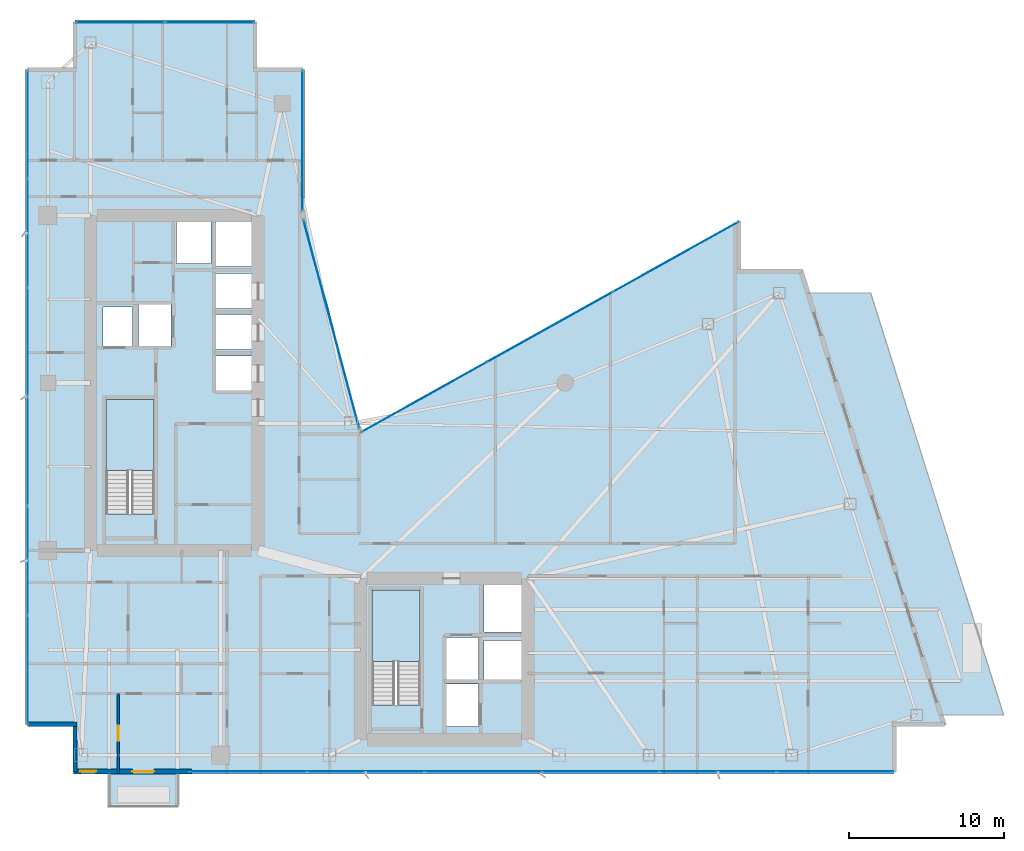
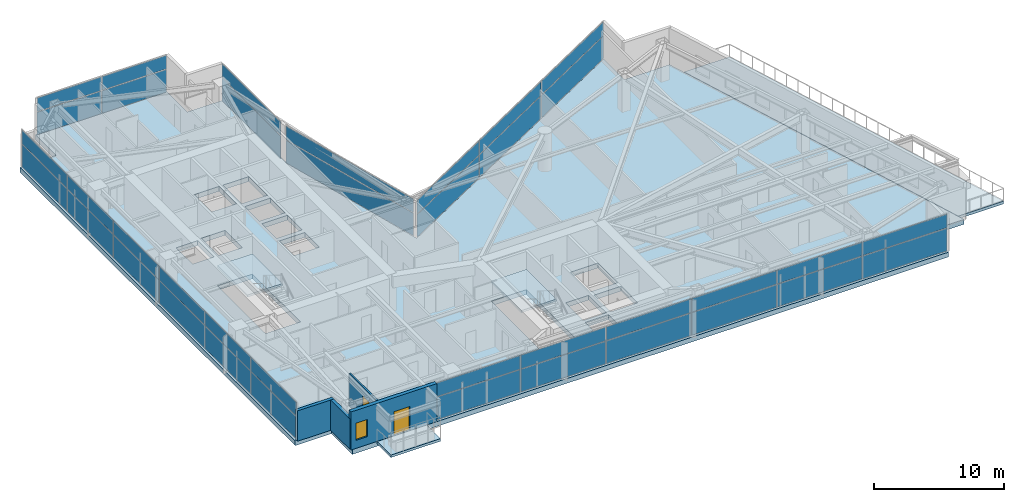
# One storey, part 21 of 28: 38 plates, 5 slabs, 4 walls, 2 doors, 1 window, 3 openings, 8 elements without a shape of their own.
"""IFC4 building model written with IfcOpenShell, lengths in metres."""

import ifcopenshell
import ifcopenshell.guid

model = None  # the IFC model being written
_history = None  # IfcOwnerHistory: only IFC2X3 demands one
_inside = {}  # id of a spatial element -> (the spatial element, [elements in it])
_under = {}  # id of a project, library or spatial element -> (it, [spatial elements below it])
_declared = {}  # id of a project -> (the project, [libraries it declares])
_typed = {}  # id of a type object -> (the type object, [elements of that type])
_made_of = {}  # id of a material, layer set ... -> (it, [elements and type objects made of it])


def new_model(schema):
    """Start an empty IFC model of exactly this schema.

    Asked for "IFC4X3", IfcOpenShell would pick the latest addendum, in which some entities
    have other attributes; the version numbers below select the first issue.
    IFC2X3 requires an IfcOwnerHistory on every rooted entity: one is made here for all.
    """
    global model, _history
    if schema == "IFC4X3":
        model = ifcopenshell.file(schema_version=(4, 3, 0, 0))
    else:
        model = ifcopenshell.file(schema=schema)
    _inside.clear()
    _under.clear()
    _declared.clear()
    _typed.clear()
    _made_of.clear()
    _history = None
    if model.schema == "IFC2X3":
        org = make("IfcOrganization", Name="unknown")
        user = make(
            "IfcPersonAndOrganization",
            ThePerson=make("IfcPerson", FamilyName="unknown"),
            TheOrganization=org,
        )
        app = make(
            "IfcApplication",
            ApplicationDeveloper=org,
            Version="unknown",
            ApplicationFullName="unknown",
            ApplicationIdentifier="unknown",
        )
        _history = make(
            "IfcOwnerHistory",
            OwningUser=user,
            OwningApplication=app,
            ChangeAction="ADDED",
            CreationDate=0,
        )
    return model


def make(cls, **values):
    """One entity of the class cls with the attributes given. An attribute that is None is left unset."""
    return model.create_entity(
        cls, **{name: value for name, value in values.items() if value is not None}
    )


def rooted(cls, **values):
    """An entity with a GlobalId (a new one), such as an element, a storey or a relation."""
    return make(cls, GlobalId=ifcopenshell.guid.new(), OwnerHistory=_history, **values)


def si_unit(unit_type, name, prefix=None):
    """IfcSIUnit, for example si_unit("LENGTHUNIT", "METRE", prefix="MILLI")."""
    return make("IfcSIUnit", UnitType=unit_type, Prefix=prefix, Name=name)


def assignment(units):
    """IfcUnitAssignment: the units of a project."""
    return None if units is None else make("IfcUnitAssignment", Units=units)


def point(xyz):
    """IfcCartesianPoint."""
    return None if xyz is None else make("IfcCartesianPoint", Coordinates=xyz)


def direction(xyz):
    """IfcDirection."""
    return None if xyz is None else make("IfcDirection", DirectionRatios=xyz)


def frame(location, z_axis=None, x_axis=None):
    """IfcAxis2Placement3D, a coordinate frame: its origin and axes. An axis left out is left unset."""
    return make(
        "IfcAxis2Placement3D",
        Location=point(location),
        Axis=direction(z_axis),
        RefDirection=direction(x_axis),
    )


def frame_2d(location, x_axis=None):
    """IfcAxis2Placement2D, a coordinate frame in the plane: its origin and x axis."""
    return make(
        "IfcAxis2Placement2D", Location=point(location), RefDirection=direction(x_axis)
    )


def origin():
    """The frame at (0, 0, 0) with its axes left unset."""
    return frame((0.0, 0.0, 0.0))


def origin_2d():
    """The frame at (0, 0) in the plane with its x axis left unset."""
    return frame_2d((0.0, 0.0))


def place(relative_to, where):
    """IfcLocalPlacement: puts the frame where relative to a parent placement (None: the world)."""
    return make(
        "IfcLocalPlacement", PlacementRelTo=relative_to, RelativePlacement=where
    )


def context(
    kind, dimensions, precision=None, world=None, true_north=None, identifier=None
):
    """IfcGeometricRepresentationContext, for example the 3D "Model" context."""
    return make(
        "IfcGeometricRepresentationContext",
        ContextIdentifier=identifier,
        ContextType=kind,
        CoordinateSpaceDimension=dimensions,
        Precision=precision,
        WorldCoordinateSystem=world,
        TrueNorth=true_north,
    )


def subcontext(parent, identifier, kind, view, scale=None):
    """IfcGeometricRepresentationSubContext, for example "Body" below "Model"."""
    return make(
        "IfcGeometricRepresentationSubContext",
        ContextIdentifier=identifier,
        ContextType=kind,
        ParentContext=parent,
        TargetScale=scale,
        TargetView=view,
    )


def project(units=None, contexts=None):
    """IfcProject with its units and contexts."""
    return rooted(
        "IfcProject",
        Name="project",
        RepresentationContexts=contexts,
        UnitsInContext=assignment(units),
    )


def spatial(cls, under=None, at=None, **own):
    """A site, building, storey or space (cls), placed at a placement, below another one or the project."""
    s = rooted(cls, ObjectPlacement=at, **own)
    if under is not None:
        _under.setdefault(under.id(), (under, []))[1].append(s)
    return s


def polyline(points):
    """IfcPolyline through the points."""
    return make("IfcPolyline", Points=[point(p) for p in points])


def profile(cls, at=None, kind="AREA", **sizes):
    """A parametric profile (cls). Its sizes go by their IFC names, for example OverallWidth=200.0."""
    return make(cls, ProfileType=kind, Position=at, **sizes)


def rectangle(**sizes):
    """IfcRectangleProfileDef."""
    return profile("IfcRectangleProfileDef", **sizes)


def outline(outer, holes=None, kind="AREA"):
    """IfcArbitraryClosedProfileDef: a profile drawn as a closed curve; with holes, ...WithVoids."""
    if holes is None:
        return make("IfcArbitraryClosedProfileDef", ProfileType=kind, OuterCurve=outer)
    return make(
        "IfcArbitraryProfileDefWithVoids",
        ProfileType=kind,
        OuterCurve=outer,
        InnerCurves=holes,
    )


def extrude(swept, where, along, depth):
    """IfcExtrudedAreaSolid: the profile swept, set in the frame where, extruded along a direction by depth."""
    return make(
        "IfcExtrudedAreaSolid",
        SweptArea=swept,
        Position=where,
        ExtrudedDirection=direction(along),
        Depth=depth,
    )


def shape(context_of_items, identifier, shape_type, items):
    """IfcShapeRepresentation: the items that make up one representation, for example the "Body"."""
    return make(
        "IfcShapeRepresentation",
        ContextOfItems=context_of_items,
        RepresentationIdentifier=identifier,
        RepresentationType=shape_type,
        Items=items,
    )


def material(Name=None, Category=None):
    """IfcMaterial."""
    return make("IfcMaterial", Name=Name, Category=Category)


def layer(
    of_material, thickness, ventilated=None, Name=None, Category=None, Priority=None
):
    """IfcMaterialLayer: one layer of a wall or slab, of a material (None: an air gap)."""
    return make(
        "IfcMaterialLayer",
        Material=of_material,
        LayerThickness=thickness,
        IsVentilated=ventilated,
        Name=Name,
        Category=Category,
        Priority=Priority,
    )


def layer_set(layers, Name=None):
    """IfcMaterialLayerSet."""
    return make("IfcMaterialLayerSet", MaterialLayers=layers, LayerSetName=Name)


def made_of(thing, what):
    """Note that an element or type object is made of a material, layer set ...; save() writes the relation."""
    if what is not None:
        _made_of.setdefault(what.id(), (what, []))[1].append(thing)
    return thing


def type_object(cls, material=None, **own):
    """A type object (cls), such as IfcWallType, which elements share."""
    return made_of(rooted(cls, **own), material)


def element(
    cls,
    number,
    at=None,
    inside=None,
    cuts=None,
    type_object=None,
    material=None,
    context=None,
    identifier="Body",
    shape_type=None,
    held_by="IfcProductDefinitionShape",
    body=None,
    shapes=None,
    **own,
):
    """One element of the class cls, such as IfcWall. Its Tag is "e" and its number.

    at: its placement. inside: the storey or other place that contains it. cuts: it is an
    opening in that element (IfcRelVoidsElement). A single representation is given by context,
    identifier, shape_type and body (its items); several are given by shapes. held_by: the class
    of the entity that holds the representations. save() writes the other relations.
    """
    e = rooted(cls, Tag="e%d" % number, ObjectPlacement=at, **own)
    if body is not None:
        shapes = [shape(context, identifier, shape_type, body)]
    if shapes is not None:
        e.Representation = make(held_by, Representations=shapes)
    if inside is not None:
        _inside.setdefault(inside.id(), (inside, []))[1].append(e)
    if cuts is not None:
        rooted(
            "IfcRelVoidsElement", RelatingBuildingElement=cuts, RelatedOpeningElement=e
        )
    if type_object is not None:
        _typed.setdefault(type_object.id(), (type_object, []))[1].append(e)
    return made_of(e, material)


def fill(opening, filler):
    """IfcRelFillsElement: the door or window that sits in an opening."""
    return rooted(
        "IfcRelFillsElement",
        RelatingOpeningElement=opening,
        RelatedBuildingElement=filler,
    )


def aggregate(whole, parts):
    """IfcRelAggregates: a whole, such as a stair, and the parts it consists of."""
    return rooted("IfcRelAggregates", RelatingObject=whole, RelatedObjects=parts)


def save(model, path):
    """Write the relations noted so far, then the file.

    IfcRelAggregates (storeys below a building ...), IfcRelContainedInSpatialStructure (elements
    in a storey), IfcRelDefinesByType, IfcRelAssociatesMaterial and IfcRelDeclares: one each for
    every whole, place, type object, material and project.
    """
    for whole, parts in _under.values():
        aggregate(whole, parts)
    for where, things in _inside.values():
        rooted(
            "IfcRelContainedInSpatialStructure",
            RelatedElements=things,
            RelatingStructure=where,
        )
    for kind, things in _typed.values():
        rooted("IfcRelDefinesByType", RelatedObjects=things, RelatingType=kind)
    for what, things in _made_of.values():
        rooted("IfcRelAssociatesMaterial", RelatedObjects=things, RelatingMaterial=what)
    for by, libraries in _declared.values():
        rooted("IfcRelDeclares", RelatingContext=by, RelatedDefinitions=libraries)
    model.write(path)


model = new_model("IFC4")

# Units and contexts
model_context = context("Model", 3, precision=1e-05, world=origin(), true_north=direction((0.0, 1.0)))
body_context = subcontext(model_context, "Body", "Model", "MODEL_VIEW")
ifc_project = project(units=[si_unit("LENGTHUNIT", "METRE"), si_unit("AREAUNIT", "SQUARE_METRE"), si_unit("VOLUMEUNIT", "CUBIC_METRE"), si_unit("PLANEANGLEUNIT", "RADIAN"), si_unit("MASSUNIT", "GRAM", prefix="KILO")], contexts=[model_context])

# Site, building, storey
site_placement = place(None, origin())
site = spatial("IfcSite", under=ifc_project, at=site_placement, CompositionType="ELEMENT")
building_placement = place(site_placement, origin())
building = spatial("IfcBuilding", under=site, at=building_placement, Name="Calvorn Quay Hotel", CompositionType="ELEMENT")
storey_placement = place(building_placement, frame((0.0, 0.0, 97.39990234375)))
storey = spatial("IfcBuildingStorey", under=building, at=storey_placement, Name="L23", CompositionType="ELEMENT", Elevation=97.39990234375)

# Curtain wall, plates
ifc_material_1 = material(Name="Pale Anodised Aluminium and Low-E Glass", Category="aluminium")
ifc_layer_1 = layer(ifc_material_1, 0.219970703125)
ifc_layer_set_1 = layer_set([ifc_layer_1], Name="CW-SYS-Z2")
curtain_wall_type = type_object("IfcCurtainWallType", Name="CW-SYS-Z2", PredefinedType="NOTDEFINED", material=ifc_layer_set_1)
curtain_wall_1_placement = place(storey_placement, origin())
curtain_wall_1 = element("IfcCurtainWall", 1, at=curtain_wall_1_placement, inside=storey, type_object=curtain_wall_type, Name="Tower West Curtain Wall (L23)", PredefinedType="NOTDEFINED")
ifc_material_2 = material(Name="Low-E Laminated Double Glazing", Category="glass")
ifc_layer_2 = layer(ifc_material_2, 0.028076171875)
ifc_layer_set_2 = layer_set([ifc_layer_2], Name="CW-SYS-Z2-PAN")
plate_type = type_object("IfcPlateType", Name="CW-SYS-Z2-PAN", PredefinedType="CURTAIN_PANEL", material=ifc_layer_set_2)
plate_1_placement = place(storey_placement, frame((0.14990234375, 9.131591796875, 0.06005859375), z_axis=(0.0, 0.0, 1.0), x_axis=(0.0, 1.0, 0.0)))
plate_1 = element("IfcPlate", 2, at=plate_1_placement, type_object=plate_type, Name="CW-L23-W panel 1.1", PredefinedType="CURTAIN_PANEL", context=body_context, shape_type="SweptSolid", body=[
    extrude(rectangle(XDim=6.943359375, YDim=0.028076171875, at=origin_2d()), origin(), (0.0, 0.0, 1.0), 2.110107421875),
])
plate_2_placement = place(storey_placement, frame((0.14990234375, 9.131591796875, 2.22998046875), z_axis=(0.0, 0.0, 1.0), x_axis=(0.0, 1.0, 0.0)))
plate_2 = element("IfcPlate", 3, at=plate_2_placement, type_object=plate_type, Name="CW-L23-W panel 1.2", PredefinedType="CURTAIN_PANEL", context=body_context, shape_type="SweptSolid", body=[
    extrude(rectangle(XDim=6.943359375, YDim=0.028076171875, at=origin_2d()), origin(), (0.0, 0.0, 1.0), 1.27001953125),
])
plate_3_placement = place(storey_placement, frame((0.14990234375, 16.14990234375, 0.06005859375), z_axis=(0.0, 0.0, 1.0), x_axis=(0.0, 1.0, 0.0)))
plate_3 = element("IfcPlate", 4, at=plate_3_placement, type_object=plate_type, Name="CW-L23-W panel 2.1", PredefinedType="CURTAIN_PANEL", context=body_context, shape_type="SweptSolid", body=[
    extrude(rectangle(XDim=6.973388671875, YDim=0.028076171875, at=origin_2d()), origin(), (0.0, 0.0, 1.0), 2.110107421875),
])
plate_4_placement = place(storey_placement, frame((0.14990234375, 16.14990234375, 2.22998046875), z_axis=(0.0, 0.0, 1.0), x_axis=(0.0, 1.0, 0.0)))
plate_4 = element("IfcPlate", 5, at=plate_4_placement, type_object=plate_type, Name="CW-L23-W panel 2.2", PredefinedType="CURTAIN_PANEL", context=body_context, shape_type="SweptSolid", body=[
    extrude(rectangle(XDim=6.973388671875, YDim=0.028076171875, at=origin_2d()), origin(), (0.0, 0.0, 1.0), 1.27001953125),
])
plate_5_placement = place(storey_placement, frame((0.14990234375, 23.183349609375, 0.06005859375), z_axis=(0.0, 0.0, 1.0), x_axis=(0.0, 1.0, 0.0)))
plate_5 = element("IfcPlate", 6, at=plate_5_placement, type_object=plate_type, Name="CW-L23-W panel 3.1", PredefinedType="CURTAIN_PANEL", context=body_context, shape_type="SweptSolid", body=[
    extrude(rectangle(XDim=6.973388671875, YDim=0.028076171875, at=origin_2d()), origin(), (0.0, 0.0, 1.0), 2.110107421875),
])
plate_6_placement = place(storey_placement, frame((0.14990234375, 23.183349609375, 2.22998046875), z_axis=(0.0, 0.0, 1.0), x_axis=(0.0, 1.0, 0.0)))
plate_6 = element("IfcPlate", 7, at=plate_6_placement, type_object=plate_type, Name="CW-L23-W panel 3.2", PredefinedType="CURTAIN_PANEL", context=body_context, shape_type="SweptSolid", body=[
    extrude(rectangle(XDim=6.973388671875, YDim=0.028076171875, at=origin_2d()), origin(), (0.0, 0.0, 1.0), 1.27001953125),
])
plate_7_placement = place(storey_placement, frame((0.14990234375, 30.216552734375, 0.06005859375), z_axis=(0.0, 0.0, 1.0), x_axis=(0.0, 1.0, 0.0)))
plate_7 = element("IfcPlate", 8, at=plate_7_placement, type_object=plate_type, Name="CW-L23-W panel 4.1", PredefinedType="CURTAIN_PANEL", context=body_context, shape_type="SweptSolid", body=[
    extrude(rectangle(XDim=6.973388671875, YDim=0.028076171875, at=origin_2d()), origin(), (0.0, 0.0, 1.0), 2.110107421875),
])
plate_8_placement = place(storey_placement, frame((0.14990234375, 30.216552734375, 2.22998046875), z_axis=(0.0, 0.0, 1.0), x_axis=(0.0, 1.0, 0.0)))
plate_8 = element("IfcPlate", 9, at=plate_8_placement, type_object=plate_type, Name="CW-L23-W panel 4.2", PredefinedType="CURTAIN_PANEL", context=body_context, shape_type="SweptSolid", body=[
    extrude(rectangle(XDim=6.973388671875, YDim=0.028076171875, at=origin_2d()), origin(), (0.0, 0.0, 1.0), 1.27001953125),
])
plate_9_placement = place(storey_placement, frame((0.14990234375, 37.25, 0.06005859375), z_axis=(0.0, 0.0, 1.0), x_axis=(0.0, 1.0, 0.0)))
plate_9 = element("IfcPlate", 10, at=plate_9_placement, type_object=plate_type, Name="CW-L23-W panel 5.1", PredefinedType="CURTAIN_PANEL", context=body_context, shape_type="SweptSolid", body=[
    extrude(rectangle(XDim=6.973388671875, YDim=0.028076171875, at=origin_2d()), origin(), (0.0, 0.0, 1.0), 2.110107421875),
])
plate_10_placement = place(storey_placement, frame((0.14990234375, 37.25, 2.22998046875), z_axis=(0.0, 0.0, 1.0), x_axis=(0.0, 1.0, 0.0)))
plate_10 = element("IfcPlate", 11, at=plate_10_placement, type_object=plate_type, Name="CW-L23-W panel 5.2", PredefinedType="CURTAIN_PANEL", context=body_context, shape_type="SweptSolid", body=[
    extrude(rectangle(XDim=6.973388671875, YDim=0.028076171875, at=origin_2d()), origin(), (0.0, 0.0, 1.0), 1.27001953125),
])
plate_11_placement = place(storey_placement, frame((0.14990234375, 44.268310546875, 0.06005859375), z_axis=(0.0, 0.0, 1.0), x_axis=(0.0, 1.0, 0.0)))
plate_11 = element("IfcPlate", 12, at=plate_11_placement, type_object=plate_type, Name="CW-L23-W panel 6.1", PredefinedType="CURTAIN_PANEL", context=body_context, shape_type="SweptSolid", body=[
    extrude(rectangle(XDim=6.943359375, YDim=0.028076171875, at=origin_2d()), origin(), (0.0, 0.0, 1.0), 2.110107421875),
])
plate_12_placement = place(storey_placement, frame((0.14990234375, 44.268310546875, 2.22998046875), z_axis=(0.0, 0.0, 1.0), x_axis=(0.0, 1.0, 0.0)))
plate_12 = element("IfcPlate", 13, at=plate_12_placement, type_object=plate_type, Name="CW-L23-W panel 6.2", PredefinedType="CURTAIN_PANEL", context=body_context, shape_type="SweptSolid", body=[
    extrude(rectangle(XDim=6.943359375, YDim=0.028076171875, at=origin_2d()), origin(), (0.0, 0.0, 1.0), 1.27001953125),
])
aggregate(curtain_wall_1, [plate_1, plate_2, plate_3, plate_4, plate_5, plate_6, plate_7, plate_8, plate_9, plate_10, plate_11, plate_12])

curtain_wall_2_placement = place(storey_placement, origin())
curtain_wall_2 = element("IfcCurtainWall", 14, at=curtain_wall_2_placement, inside=storey, type_object=curtain_wall_type, Name="Tower South Waterfront Curtain Wall (L23)", PredefinedType="NOTDEFINED")
plate_13_placement = place(storey_placement, frame((14.3984375, 2.550048828125, 0.06005859375), z_axis=(0.0, 0.0, 1.0), x_axis=(1.0, 0.0, 0.0)))
plate_13 = element("IfcPlate", 15, at=plate_13_placement, type_object=plate_type, Name="CW-L23-S panel 1.1", PredefinedType="CURTAIN_PANEL", context=body_context, shape_type="SweptSolid", body=[
    extrude(rectangle(XDim=7.4765625, YDim=0.028076171875, at=origin_2d()), origin(), (0.0, 0.0, 1.0), 2.110107421875),
])
plate_14_placement = place(storey_placement, frame((14.3984375, 2.550048828125, 2.22998046875), z_axis=(0.0, 0.0, 1.0), x_axis=(1.0, 0.0, 0.0)))
plate_14 = element("IfcPlate", 16, at=plate_14_placement, type_object=plate_type, Name="CW-L23-S panel 1.2", PredefinedType="CURTAIN_PANEL", context=body_context, shape_type="SweptSolid", body=[
    extrude(rectangle(XDim=7.4765625, YDim=0.028076171875, at=origin_2d()), origin(), (0.0, 0.0, 1.0), 1.27001953125),
])
plate_15_placement = place(storey_placement, frame((21.949951171875, 2.550048828125, 0.06005859375), z_axis=(0.0, 0.0, 1.0), x_axis=(1.0, 0.0, 0.0)))
plate_15 = element("IfcPlate", 17, at=plate_15_placement, type_object=plate_type, Name="CW-L23-S panel 2.1", PredefinedType="CURTAIN_PANEL", context=body_context, shape_type="SweptSolid", body=[
    extrude(rectangle(XDim=7.506591796875, YDim=0.028076171875, at=origin_2d()), origin(), (0.0, 0.0, 1.0), 2.110107421875),
])
plate_16_placement = place(storey_placement, frame((21.949951171875, 2.550048828125, 2.22998046875), z_axis=(0.0, 0.0, 1.0), x_axis=(1.0, 0.0, 0.0)))
plate_16 = element("IfcPlate", 18, at=plate_16_placement, type_object=plate_type, Name="CW-L23-S panel 2.2", PredefinedType="CURTAIN_PANEL", context=body_context, shape_type="SweptSolid", body=[
    extrude(rectangle(XDim=7.506591796875, YDim=0.028076171875, at=origin_2d()), origin(), (0.0, 0.0, 1.0), 1.27001953125),
])
plate_17_placement = place(storey_placement, frame((29.5166015625, 2.550048828125, 0.06005859375), z_axis=(0.0, 0.0, 1.0), x_axis=(1.0, 0.0, 0.0)))
plate_17 = element("IfcPlate", 19, at=plate_17_placement, type_object=plate_type, Name="CW-L23-S panel 3.1", PredefinedType="CURTAIN_PANEL", context=body_context, shape_type="SweptSolid", body=[
    extrude(rectangle(XDim=7.506591796875, YDim=0.028076171875, at=origin_2d()), origin(), (0.0, 0.0, 1.0), 2.110107421875),
])
plate_18_placement = place(storey_placement, frame((29.5166015625, 2.550048828125, 2.22998046875), z_axis=(0.0, 0.0, 1.0), x_axis=(1.0, 0.0, 0.0)))
plate_18 = element("IfcPlate", 20, at=plate_18_placement, type_object=plate_type, Name="CW-L23-S panel 3.2", PredefinedType="CURTAIN_PANEL", context=body_context, shape_type="SweptSolid", body=[
    extrude(rectangle(XDim=7.506591796875, YDim=0.028076171875, at=origin_2d()), origin(), (0.0, 0.0, 1.0), 1.27001953125),
])
plate_19_placement = place(storey_placement, frame((37.083251953125, 2.550048828125, 0.06005859375), z_axis=(0.0, 0.0, 1.0), x_axis=(1.0, 0.0, 0.0)))
plate_19 = element("IfcPlate", 21, at=plate_19_placement, type_object=plate_type, Name="CW-L23-S panel 4.1", PredefinedType="CURTAIN_PANEL", context=body_context, shape_type="SweptSolid", body=[
    extrude(rectangle(XDim=7.506591796875, YDim=0.028076171875, at=origin_2d()), origin(), (0.0, 0.0, 1.0), 2.110107421875),
])
plate_20_placement = place(storey_placement, frame((37.083251953125, 2.550048828125, 2.22998046875), z_axis=(0.0, 0.0, 1.0), x_axis=(1.0, 0.0, 0.0)))
plate_20 = element("IfcPlate", 22, at=plate_20_placement, type_object=plate_type, Name="CW-L23-S panel 4.2", PredefinedType="CURTAIN_PANEL", context=body_context, shape_type="SweptSolid", body=[
    extrude(rectangle(XDim=7.506591796875, YDim=0.028076171875, at=origin_2d()), origin(), (0.0, 0.0, 1.0), 1.27001953125),
])
plate_21_placement = place(storey_placement, frame((44.64990234375, 2.550048828125, 0.06005859375), z_axis=(0.0, 0.0, 1.0), x_axis=(1.0, 0.0, 0.0)))
plate_21 = element("IfcPlate", 23, at=plate_21_placement, type_object=plate_type, Name="CW-L23-S panel 5.1", PredefinedType="CURTAIN_PANEL", context=body_context, shape_type="SweptSolid", body=[
    extrude(rectangle(XDim=7.506591796875, YDim=0.028076171875, at=origin_2d()), origin(), (0.0, 0.0, 1.0), 2.110107421875),
])
plate_22_placement = place(storey_placement, frame((44.64990234375, 2.550048828125, 2.22998046875), z_axis=(0.0, 0.0, 1.0), x_axis=(1.0, 0.0, 0.0)))
plate_22 = element("IfcPlate", 24, at=plate_22_placement, type_object=plate_type, Name="CW-L23-S panel 5.2", PredefinedType="CURTAIN_PANEL", context=body_context, shape_type="SweptSolid", body=[
    extrude(rectangle(XDim=7.506591796875, YDim=0.028076171875, at=origin_2d()), origin(), (0.0, 0.0, 1.0), 1.27001953125),
])
plate_23_placement = place(storey_placement, frame((52.20166015625, 2.550048828125, 0.06005859375), z_axis=(0.0, 0.0, 1.0), x_axis=(1.0, 0.0, 0.0)))
plate_23 = element("IfcPlate", 25, at=plate_23_placement, type_object=plate_type, Name="CW-L23-S panel 6.1", PredefinedType="CURTAIN_PANEL", context=body_context, shape_type="SweptSolid", body=[
    extrude(rectangle(XDim=7.4765625, YDim=0.028076171875, at=origin_2d()), origin(), (0.0, 0.0, 1.0), 2.110107421875),
])
plate_24_placement = place(storey_placement, frame((52.20166015625, 2.550048828125, 2.22998046875), z_axis=(0.0, 0.0, 1.0), x_axis=(1.0, 0.0, 0.0)))
plate_24 = element("IfcPlate", 26, at=plate_24_placement, type_object=plate_type, Name="CW-L23-S panel 6.2", PredefinedType="CURTAIN_PANEL", context=body_context, shape_type="SweptSolid", body=[
    extrude(rectangle(XDim=7.4765625, YDim=0.028076171875, at=origin_2d()), origin(), (0.0, 0.0, 1.0), 1.27001953125),
])
aggregate(curtain_wall_2, [plate_13, plate_14, plate_15, plate_16, plate_17, plate_18, plate_19, plate_20, plate_21, plate_22, plate_23, plate_24])

curtain_wall_3_placement = place(storey_placement, origin())
curtain_wall_3 = element("IfcCurtainWall", 27, at=curtain_wall_3_placement, inside=storey, type_object=curtain_wall_type, Name="Inner Court Curtain Wall L23-NE1", PredefinedType="NOTDEFINED")
plate_25_placement = place(storey_placement, frame((41.920166015625, 35.72607421875, 0.06005859375), z_axis=(0.0, 0.0, 1.0), x_axis=(-0.873480989116, -0.486858256224, 0.0)))
plate_25 = element("IfcPlate", 28, at=plate_25_placement, type_object=plate_type, Name="CW-L23-NE1 panel 1.1", PredefinedType="CURTAIN_PANEL", context=body_context, shape_type="SweptSolid", body=[
    extrude(rectangle(XDim=9.221435546875, YDim=0.028076171875, at=origin_2d()), origin(), (0.0, 0.0, 1.0), 2.110107421875),
])
plate_26_placement = place(storey_placement, frame((41.920166015625, 35.72607421875, 2.22998046875), z_axis=(0.0, 0.0, 1.0), x_axis=(-0.873480989116, -0.486858256224, 0.0)))
plate_26 = element("IfcPlate", 29, at=plate_26_placement, type_object=plate_type, Name="CW-L23-NE1 panel 1.2", PredefinedType="CURTAIN_PANEL", context=body_context, shape_type="SweptSolid", body=[
    extrude(rectangle(XDim=9.221435546875, YDim=0.028076171875, at=origin_2d()), origin(), (0.0, 0.0, 1.0), 1.27001953125),
])
plate_27_placement = place(storey_placement, frame((33.800048828125, 31.199951171875, 0.06005859375), z_axis=(0.0, 0.0, 1.0), x_axis=(-0.873480989116, -0.486858256224, 0.0)))
plate_27 = element("IfcPlate", 30, at=plate_27_placement, type_object=plate_type, Name="CW-L23-NE1 panel 2.1", PredefinedType="CURTAIN_PANEL", context=body_context, shape_type="SweptSolid", body=[
    extrude(rectangle(XDim=9.25146484375, YDim=0.028076171875, at=origin_2d()), origin(), (0.0, 0.0, 1.0), 2.110107421875),
])
plate_28_placement = place(storey_placement, frame((33.800048828125, 31.199951171875, 2.22998046875), z_axis=(0.0, 0.0, 1.0), x_axis=(-0.873480989116, -0.486858256224, 0.0)))
plate_28 = element("IfcPlate", 31, at=plate_28_placement, type_object=plate_type, Name="CW-L23-NE1 panel 2.2", PredefinedType="CURTAIN_PANEL", context=body_context, shape_type="SweptSolid", body=[
    extrude(rectangle(XDim=9.25146484375, YDim=0.028076171875, at=origin_2d()), origin(), (0.0, 0.0, 1.0), 1.27001953125),
])
plate_29_placement = place(storey_placement, frame((25.6796875, 26.674072265625, 0.06005859375), z_axis=(0.0, 0.0, 1.0), x_axis=(-0.873480989116, -0.486858256224, 0.0)))
plate_29 = element("IfcPlate", 32, at=plate_29_placement, type_object=plate_type, Name="CW-L23-NE1 panel 3.1", PredefinedType="CURTAIN_PANEL", context=body_context, shape_type="SweptSolid", body=[
    extrude(rectangle(XDim=9.221435546875, YDim=0.028076171875, at=origin_2d()), origin(), (0.0, 0.0, 1.0), 2.110107421875),
])
plate_30_placement = place(storey_placement, frame((25.6796875, 26.674072265625, 2.22998046875), z_axis=(0.0, 0.0, 1.0), x_axis=(-0.873480989116, -0.486858256224, 0.0)))
plate_30 = element("IfcPlate", 33, at=plate_30_placement, type_object=plate_type, Name="CW-L23-NE1 panel 3.2", PredefinedType="CURTAIN_PANEL", context=body_context, shape_type="SweptSolid", body=[
    extrude(rectangle(XDim=9.221435546875, YDim=0.028076171875, at=origin_2d()), origin(), (0.0, 0.0, 1.0), 1.27001953125),
])
aggregate(curtain_wall_3, [plate_25, plate_26, plate_27, plate_28, plate_29, plate_30])

curtain_wall_4_placement = place(storey_placement, origin())
curtain_wall_4 = element("IfcCurtainWall", 34, at=curtain_wall_4_placement, inside=storey, type_object=curtain_wall_type, Name="Inner Court Curtain Wall L23-IC1", PredefinedType="NOTDEFINED")
plate_31_placement = place(storey_placement, frame((19.72509765625, 31.39990234375, 0.06005859375), z_axis=(0.0, 0.0, 1.0), x_axis=(-0.25877913024, 0.96593652056, 0.0)))
plate_31 = element("IfcPlate", 35, at=plate_31_placement, type_object=plate_type, Name="CW-L23-IC1 panel 1.1", PredefinedType="CURTAIN_PANEL", context=body_context, shape_type="SweptSolid", body=[
    extrude(rectangle(XDim=13.814697265625, YDim=0.028076171875, at=origin_2d()), origin(), (0.0, 0.0, 1.0), 2.110107421875),
])
plate_32_placement = place(storey_placement, frame((19.72509765625, 31.39990234375, 2.22998046875), z_axis=(0.0, 0.0, 1.0), x_axis=(-0.25877913024, 0.96593652056, 0.0)))
plate_32 = element("IfcPlate", 36, at=plate_32_placement, type_object=plate_type, Name="CW-L23-IC1 panel 1.2", PredefinedType="CURTAIN_PANEL", context=body_context, shape_type="SweptSolid", body=[
    extrude(rectangle(XDim=13.814697265625, YDim=0.028076171875, at=origin_2d()), origin(), (0.0, 0.0, 1.0), 1.27001953125),
])
aggregate(curtain_wall_4, [plate_31, plate_32])

curtain_wall_5_placement = place(storey_placement, origin())
curtain_wall_5 = element("IfcCurtainWall", 37, at=curtain_wall_5_placement, inside=storey, type_object=curtain_wall_type, Name="Inner Court Curtain Wall L23-IC2", PredefinedType="NOTDEFINED")
plate_33_placement = place(storey_placement, frame((17.85009765625, 43.239990234375, 0.06005859375), z_axis=(0.0, 0.0, 1.0), x_axis=(0.0, 1.0, 0.0)))
plate_33 = element("IfcPlate", 38, at=plate_33_placement, type_object=plate_type, Name="CW-L23-IC2 panel 1.1", PredefinedType="CURTAIN_PANEL", context=body_context, shape_type="SweptSolid", body=[
    extrude(rectangle(XDim=9.0, YDim=0.028076171875, at=origin_2d()), origin(), (0.0, 0.0, 1.0), 2.110107421875),
])
plate_34_placement = place(storey_placement, frame((17.85009765625, 43.239990234375, 2.22998046875), z_axis=(0.0, 0.0, 1.0), x_axis=(0.0, 1.0, 0.0)))
plate_34 = element("IfcPlate", 39, at=plate_34_placement, type_object=plate_type, Name="CW-L23-IC2 panel 1.2", PredefinedType="CURTAIN_PANEL", context=body_context, shape_type="SweptSolid", body=[
    extrude(rectangle(XDim=9.0, YDim=0.028076171875, at=origin_2d()), origin(), (0.0, 0.0, 1.0), 1.27001953125),
])
aggregate(curtain_wall_5, [plate_33, plate_34])

curtain_wall_6_placement = place(storey_placement, origin())
curtain_wall_6 = element("IfcCurtainWall", 40, at=curtain_wall_6_placement, inside=storey, type_object=curtain_wall_type, Name="Inner Court Curtain Wall L23-N1", PredefinedType="NOTDEFINED")
plate_35_placement = place(storey_placement, frame((11.885009765625, 50.85009765625, 0.06005859375), z_axis=(0.0, 0.0, 1.0), x_axis=(-1.0, 0.0, 0.0)))
plate_35 = element("IfcPlate", 41, at=plate_35_placement, type_object=plate_type, Name="CW-L23-N1 panel 1.1", PredefinedType="CURTAIN_PANEL", context=body_context, shape_type="SweptSolid", body=[
    extrude(rectangle(XDim=5.7099609375, YDim=0.028076171875, at=origin_2d()), origin(), (0.0, 0.0, 1.0), 2.110107421875),
])
plate_36_placement = place(storey_placement, frame((11.885009765625, 50.85009765625, 2.22998046875), z_axis=(0.0, 0.0, 1.0), x_axis=(-1.0, 0.0, 0.0)))
plate_36 = element("IfcPlate", 42, at=plate_36_placement, type_object=plate_type, Name="CW-L23-N1 panel 1.2", PredefinedType="CURTAIN_PANEL", context=body_context, shape_type="SweptSolid", body=[
    extrude(rectangle(XDim=5.7099609375, YDim=0.028076171875, at=origin_2d()), origin(), (0.0, 0.0, 1.0), 1.27001953125),
])
plate_37_placement = place(storey_placement, frame((6.114990234375, 50.85009765625, 0.06005859375), z_axis=(0.0, 0.0, 1.0), x_axis=(-1.0, 0.0, 0.0)))
plate_37 = element("IfcPlate", 43, at=plate_37_placement, type_object=plate_type, Name="CW-L23-N1 panel 2.1", PredefinedType="CURTAIN_PANEL", context=body_context, shape_type="SweptSolid", body=[
    extrude(rectangle(XDim=5.7099609375, YDim=0.028076171875, at=origin_2d()), origin(), (0.0, 0.0, 1.0), 2.110107421875),
])
plate_38_placement = place(storey_placement, frame((6.114990234375, 50.85009765625, 2.22998046875), z_axis=(0.0, 0.0, 1.0), x_axis=(-1.0, 0.0, 0.0)))
plate_38 = element("IfcPlate", 44, at=plate_38_placement, type_object=plate_type, Name="CW-L23-N1 panel 2.2", PredefinedType="CURTAIN_PANEL", context=body_context, shape_type="SweptSolid", body=[
    extrude(rectangle(XDim=5.7099609375, YDim=0.028076171875, at=origin_2d()), origin(), (0.0, 0.0, 1.0), 1.27001953125),
])
aggregate(curtain_wall_6, [plate_35, plate_36, plate_37, plate_38])

# Slab
ifc_material_3 = material(Name="Concrete C40", Category="concrete")
ifc_layer_3 = layer(ifc_material_3, 0.239990234375)
ifc_layer_set_3 = layer_set([ifc_layer_3], Name="SLB-BALCONY-220")
slab_type_1 = type_object("IfcSlabType", Name="SLB-BALCONY-220", PredefinedType="FLOOR", material=ifc_layer_set_3)
slab_1_placement = place(storey_placement, frame((0.0, 0.0, -0.239990234375)))
element("IfcSlab", 45, at=slab_1_placement, inside=storey, type_object=slab_type_1, Name="Tree Balcony Slab L23-BALC-S", PredefinedType="FLOOR", context=body_context, shape_type="SweptSolid", body=[
    extrude(outline(polyline([(5.39990234375, 0.2900390625), (9.800048828125, 0.2900390625), (9.800048828125, 2.389892578125), (5.39990234375, 2.389892578125), (5.39990234375, 0.2900390625)])), origin(), (0.0, 0.0, 1.0), 0.239990234375),
])

# Stair, slab
ifc_material_4 = material(Name="Concrete C40", Category="concrete")
stair_type = type_object("IfcStairType", Name="STR-CORE-DOGLEG", PredefinedType="HALF_TURN_STAIR", material=ifc_material_4)
stair_1_placement = place(storey_placement, origin())
stair_1 = element("IfcStair", 46, at=stair_1_placement, inside=storey, type_object=stair_type, Name="L23 ST-W", PredefinedType="HALF_TURN_STAIR")
ifc_material_5 = material(Name="Concrete C40", Category="concrete")
ifc_layer_4 = layer(ifc_material_5, 0.199951171875)
ifc_layer_set_4 = layer_set([ifc_layer_4], Name="SLB-STAIR-LANDING-200")
slab_type_2 = type_object("IfcSlabType", Name="SLB-STAIR-LANDING-200", PredefinedType="LANDING", material=ifc_layer_set_4)
slab_2_placement = place(storey_placement, frame((0.0, 0.0, 1.7001953125)))
slab_2 = element("IfcSlab", 47, at=slab_2_placement, type_object=slab_type_2, Name="ST-W landing 1", PredefinedType="LANDING", context=body_context, shape_type="SweptSolid", body=[
    extrude(outline(polyline([(8.300048828125, 21.949951171875), (8.300048828125, 26.550048828125), (5.199951171875, 26.550048828125), (5.199951171875, 21.949951171875), (8.300048828125, 21.949951171875)])), origin(), (0.0, 0.0, 1.0), 0.199951171875),
])
aggregate(stair_1, [slab_2])

stair_2_placement = place(storey_placement, origin())
stair_2 = element("IfcStair", 48, at=stair_2_placement, inside=storey, type_object=stair_type, Name="L23 ST-E", PredefinedType="HALF_TURN_STAIR")
slab_3_placement = place(storey_placement, frame((0.0, 0.0, 1.7001953125)))
slab_3 = element("IfcSlab", 49, at=slab_3_placement, type_object=slab_type_2, Name="ST-E landing 1", PredefinedType="LANDING", context=body_context, shape_type="SweptSolid", body=[
    extrude(outline(polyline([(25.449951171875, 9.64990234375), (25.449951171875, 14.25), (22.35009765625, 14.25), (22.35009765625, 9.64990234375), (25.449951171875, 9.64990234375)])), origin(), (0.0, 0.0, 1.0), 0.199951171875),
])
aggregate(stair_2, [slab_3])

# Slabs
ifc_material_6 = material(Name="Concrete C40", Category="concrete")
ifc_layer_5 = layer(ifc_material_6, 0.260009765625)
ifc_layer_set_5 = layer_set([ifc_layer_5], Name="SLB-TERRACE-260")
slab_type_3 = type_object("IfcSlabType", Name="SLB-TERRACE-260", PredefinedType="ROOF", material=ifc_layer_set_5)
slab_4_placement = place(storey_placement, frame((0.0, 0.0, -0.260009765625)))
element("IfcSlab", 50, at=slab_4_placement, inside=storey, type_object=slab_type_3, Name="Sawtooth Setback Terrace Slab L23", PredefinedType="ROOF", context=body_context, shape_type="SweptSolid", body=[
    extrude(outline(polyline([(59.031005859375, 6.199951171875), (63.06103515625, 6.199951171875), (54.490966796875, 33.39990234375), (50.4609375, 33.39990234375), (59.031005859375, 6.199951171875)])), origin(), (0.0, 0.0, 1.0), 0.260009765625),
])
ifc_material_7 = material(Name="Concrete C50", Category="concrete")
ifc_layer_6 = layer(ifc_material_7, 0.449951171875)
ifc_layer_set_6 = layer_set([ifc_layer_6], Name="SLB-XFER-450")
slab_type_4 = type_object("IfcSlabType", Name="SLB-XFER-450", PredefinedType="FLOOR", material=ifc_layer_set_6)
slab_5_placement = place(storey_placement, frame((0.0, 0.0, -0.449951171875)))
element("IfcSlab", 51, at=slab_5_placement, inside=storey, type_object=slab_type_4, Name="L23 Structural Floor Slab", PredefinedType="FLOOR", context=body_context, shape_type="SweptSolid", body=[
    extrude(outline(polyline([(0.0, 5.60009765625), (3.199951171875, 5.60009765625), (3.199951171875, 2.39990234375), (56.0, 2.39990234375), (56.0, 5.60009765625), (59.199951171875, 5.60009765625), (50.0, 34.800048828125), (46.0, 34.800048828125), (46.0, 38.0), (21.60009765625, 24.39990234375), (18.0, 38.39990234375), (18.0, 47.800048828125), (14.800048828125, 47.800048828125), (14.800048828125, 51.0), (3.199951171875, 51.0), (3.199951171875, 47.800048828125), (0.0, 47.800048828125), (0.0, 5.60009765625)]), holes=[polyline([(5.199951171875, 19.156005859375), (8.300048828125, 19.156005859375), (8.300048828125, 26.550048828125), (5.199951171875, 26.550048828125), (5.199951171875, 19.156005859375)]), polyline([(22.35009765625, 6.85595703125), (25.449951171875, 6.85595703125), (25.449951171875, 14.25), (22.35009765625, 14.25), (22.35009765625, 6.85595703125)]), polyline([(5.0, 30.0), (6.89990234375, 30.0), (6.89990234375, 32.5), (5.0, 32.5), (5.0, 30.0)]), polyline([(7.300048828125, 30.0), (9.39990234375, 30.0), (9.39990234375, 32.64990234375), (7.300048828125, 32.64990234375), (7.300048828125, 30.0)]), polyline([(27.159912109375, 8.5), (29.2099609375, 8.5), (29.2099609375, 11.199951171875), (27.159912109375, 11.199951171875), (27.159912109375, 8.5)]), polyline([(27.159912109375, 5.449951171875), (29.2099609375, 5.449951171875), (29.2099609375, 8.199951171875), (27.159912109375, 8.199951171875), (27.159912109375, 5.449951171875)]), polyline([(12.300048828125, 27.10009765625), (14.56494140625, 27.10009765625), (14.56494140625, 29.35009765625), (12.300048828125, 29.35009765625), (12.300048828125, 27.10009765625)]), polyline([(12.300048828125, 29.75), (14.56494140625, 29.75), (14.56494140625, 32.0), (12.300048828125, 32.0), (12.300048828125, 29.75)]), polyline([(12.300048828125, 32.39990234375), (14.56494140625, 32.39990234375), (14.56494140625, 34.64990234375), (12.300048828125, 34.64990234375), (12.300048828125, 32.39990234375)]), polyline([(12.300048828125, 35.10009765625), (14.56494140625, 35.10009765625), (14.56494140625, 37.965087890625), (12.300048828125, 37.965087890625), (12.300048828125, 35.10009765625)]), polyline([(9.75, 35.300048828125), (11.949951171875, 35.300048828125), (11.949951171875, 37.965087890625), (9.75, 37.965087890625), (9.75, 35.300048828125)]), polyline([(29.550048828125, 11.550048828125), (31.965087890625, 11.550048828125), (31.965087890625, 14.56494140625), (29.550048828125, 14.56494140625), (29.550048828125, 11.550048828125)]), polyline([(29.550048828125, 8.449951171875), (31.965087890625, 8.449951171875), (31.965087890625, 11.0), (29.550048828125, 11.0), (29.550048828125, 8.449951171875)])]), origin(), (0.0, 0.0, 1.0), 0.449951171875),
])

# Wall, openings, door, window
ifc_material_8 = material(Name="Concrete C40", Category="concrete")
ifc_layer_7 = layer(ifc_material_8, 0.320068359375)
ifc_layer_set_7 = layer_set([ifc_layer_7], Name="WL-EXT-SPANDREL-320")
wall_type_1 = type_object("IfcWallType", Name="WL-EXT-SPANDREL-320", PredefinedType="SOLIDWALL", material=ifc_layer_set_7)
wall_1_placement = place(storey_placement, frame((3.10009765625, 2.56005859375, 0.0), z_axis=(0.0, 0.0, 1.0), x_axis=(1.0, 0.0, 0.0)))
wall_1 = element("IfcWall", 52, at=wall_1_placement, inside=storey, type_object=wall_type_1, Name="South Balcony Exterior Wall (L23)", PredefinedType="SOLIDWALL", context=body_context, shape_type="SweptSolid", body=[
    extrude(rectangle(XDim=7.599853515625, YDim=0.320068359375, at=frame_2d((3.7998046875, 0.0))), origin(), (0.0, 0.0, 1.0), 3.56005859375),
])
opening_1_placement = place(wall_1_placement, frame((0.449951171875, 0.0, 0.75)))
opening_1 = element("IfcOpeningElement", 53, at=opening_1_placement, cuts=wall_1, Name="Opening WSB-L23-1", PredefinedType="OPENING", context=body_context, shape_type="SweptSolid", body=[
    extrude(rectangle(XDim=1.0, YDim=1.60009765625, at=frame_2d((0.5, 0.800048828125))), frame((0.0, 0.169921875, 0.0), z_axis=(0.0, -1.0, 0.0), x_axis=(1.0, 0.0, 0.0)), (0.0, 0.0, 1.0), 0.340087890625),
])
opening_2_placement = place(wall_1_placement, frame((3.800048828125, 0.0, 0.0)))
opening_2 = element("IfcOpeningElement", 54, at=opening_2_placement, cuts=wall_1, Name="Opening DB-L23-1", PredefinedType="OPENING", context=body_context, shape_type="SweptSolid", body=[
    extrude(rectangle(XDim=1.39990234375, YDim=2.25, at=frame_2d((0.699951171875, 1.125))), frame((0.0, 0.169921875, 0.0), z_axis=(0.0, -1.0, 0.0), x_axis=(1.0, 0.0, 0.0)), (0.0, 0.0, 1.0), 0.340087890625),
])
ifc_material_9 = material(Name="Typhoon-Rated Low-E Aluminium Terrace Door", Category="aluminium")
door_type_1 = type_object("IfcDoorType", Name="DR-BALCONY-GLZ-1400", OperationType="NOTDEFINED", PredefinedType="DOOR", material=ifc_material_9)
door_1_placement = place(opening_2_placement, origin())
door_1 = element("IfcDoor", 55, at=door_1_placement, inside=storey, type_object=door_type_1, Name="Tree Balcony Terrace Door L23-BALC-S", OperationType="SINGLE_SWING_LEFT", OverallHeight=2.25, OverallWidth=1.39990234375, PredefinedType="DOOR", context=body_context, shape_type="SweptSolid", body=[
    extrude(rectangle(XDim=1.39990234375, YDim=2.25, at=frame_2d((0.699951171875, 1.125))), frame((0.0, 0.02490234375, 0.0), z_axis=(0.0, -1.0, 0.0), x_axis=(1.0, 0.0, 0.0)), (0.0, 0.0, 1.0), 0.050048828125),
])
fill(opening_2, door_1)
ifc_material_10 = material(Name="Self-Closing Class B Side Fire Window")
window_type = type_object("IfcWindowType", Name="WIN-REFUGE-NARROW-1000x1600", PartitioningType="SINGLE_PANEL", PredefinedType="WINDOW", material=ifc_material_10)
window_placement = place(opening_1_placement, origin())
window = element("IfcWindow", 56, at=window_placement, inside=storey, type_object=window_type, Name="South Waterfront Side Window (L23)", OverallHeight=1.60009765625, OverallWidth=1.0, PartitioningType="SINGLE_PANEL", PredefinedType="WINDOW", context=body_context, shape_type="SweptSolid", body=[
    extrude(rectangle(XDim=1.0, YDim=1.60009765625, at=frame_2d((0.5, 0.800048828125))), frame((0.0, 0.030029296875, 0.0), z_axis=(0.0, -1.0, 0.0), x_axis=(1.0, 0.0, 0.0)), (0.0, 0.0, 1.0), 0.06005859375),
])
fill(opening_1, window)

# Walls
wall_2_placement = place(storey_placement, frame((0.1201171875, 5.60009765625, 0.0), z_axis=(0.0, 0.0, 1.0), x_axis=(1.0, 0.0, 0.0)))
element("IfcWall", 57, at=wall_2_placement, inside=storey, type_object=wall_type_1, Name="Notched Corner Spandrel L23-SW1", PredefinedType="SOLIDWALL", context=body_context, shape_type="SweptSolid", body=[
    extrude(rectangle(XDim=3.219970703125, YDim=0.280029296875, at=frame_2d((1.60986328125, 0.0))), origin(), (0.0, 0.0, 1.0), 2.840087890625),
])
wall_3_placement = place(storey_placement, frame((3.199951171875, 5.4599609375, 0.0), z_axis=(0.0, 0.0, 1.0), x_axis=(0.0, -1.0, 0.0)))
element("IfcWall", 58, at=wall_3_placement, inside=storey, type_object=wall_type_1, Name="Notched Corner Spandrel L23-SW2", PredefinedType="SOLIDWALL", context=body_context, shape_type="SweptSolid", body=[
    extrude(rectangle(XDim=2.93994140625, YDim=0.280029296875, at=frame_2d((1.469970703125, 0.0))), origin(), (0.0, 0.0, 1.0), 2.840087890625),
])

# Wall, opening, door
ifc_material_11 = material(Name="Double-Stud Acoustic Gypsum Partition")
ifc_layer_8 = layer(ifc_material_11, 0.159912109375)
ifc_layer_set_8 = layer_set([ifc_layer_8], Name="WL-INTERSUITE-160")
wall_type_2 = type_object("IfcWallType", Name="WL-INTERSUITE-160", PredefinedType="PARTITIONING", material=ifc_layer_set_8)
wall_4_placement = place(storey_placement, frame((5.97998046875, 2.43994140625, 0.0), z_axis=(0.0, 0.0, 1.0), x_axis=(0.0, 1.0, 0.0)))
wall_4 = element("IfcWall", 59, at=wall_4_placement, inside=storey, type_object=wall_type_2, Name="Partition Wall L23-WL-U01-MSP", PredefinedType="PARTITIONING", context=body_context, shape_type="SweptSolid", body=[
    extrude(rectangle(XDim=5.130126953125, YDim=0.159912109375, at=frame_2d((2.56494140625, 0.0))), origin(), (0.0, 0.0, 1.0), 3.0400390625),
])
opening_3_placement = place(wall_4_placement, frame((2.090087890625, 0.0, 0.0)))
opening_3 = element("IfcOpeningElement", 60, at=opening_3_placement, cuts=wall_4, Name="Opening D-L23-M01", PredefinedType="OPENING", context=body_context, shape_type="SweptSolid", body=[
    extrude(rectangle(XDim=0.9599609375, YDim=2.199951171875, at=frame_2d((0.47998046875, 1.10009765625))), frame((0.0, 0.08984375, 0.0), z_axis=(0.0, -1.0, 0.0), x_axis=(1.0, 0.0, 0.0)), (0.0, 0.0, 1.0), 0.179931640625),
])
ifc_material_12 = material(Name="Solid Timber Internal Suite Door", Category="wood")
door_type_2 = type_object("IfcDoorType", Name="DR-SUITE-INT-960", OperationType="NOTDEFINED", PredefinedType="DOOR", material=ifc_material_12)
door_2_placement = place(opening_3_placement, origin())
door_2 = element("IfcDoor", 61, at=door_2_placement, inside=storey, type_object=door_type_2, Name="Suite Bedroom Door 01", OperationType="SINGLE_SWING_LEFT", OverallHeight=2.199951171875, OverallWidth=0.9599609375, PredefinedType="DOOR", context=body_context, shape_type="SweptSolid", body=[
    extrude(rectangle(XDim=0.9599609375, YDim=2.199951171875, at=frame_2d((0.47998046875, 1.10009765625))), frame((0.0, 0.02490234375, 0.0), z_axis=(0.0, -1.0, 0.0), x_axis=(1.0, 0.0, 0.0)), (0.0, 0.0, 1.0), 0.050048828125),
])
fill(opening_3, door_2)

save(model, "model.ifc")
